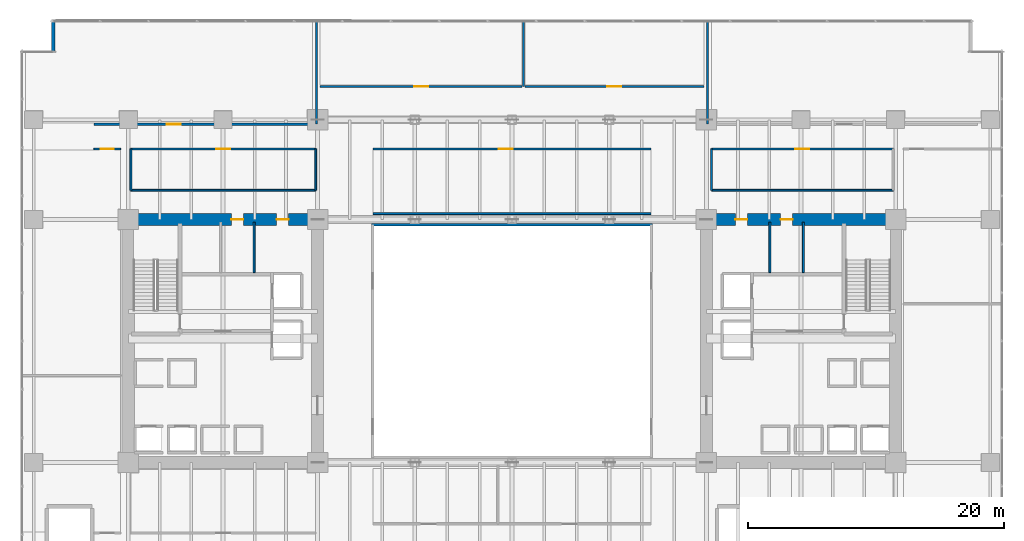
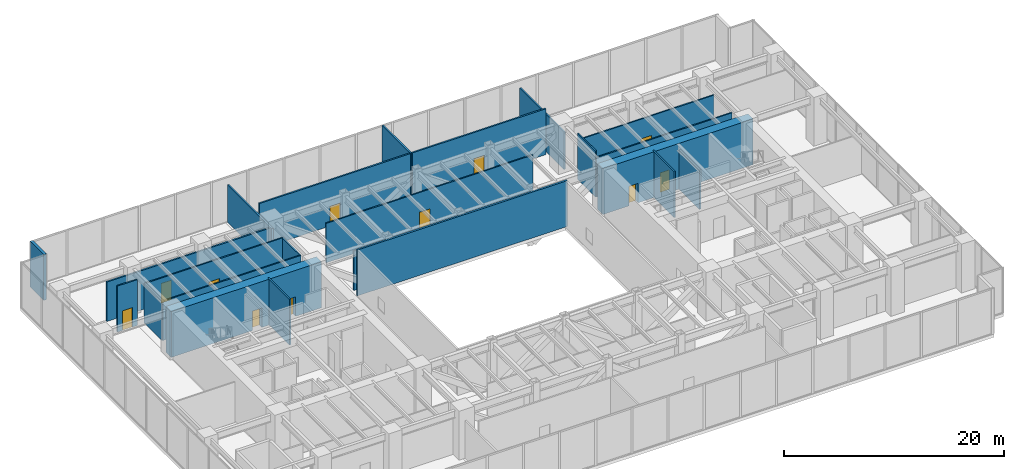
# One storey, part 30 of 35: 23 walls, 11 doors, 11 openings.
"""IFC4 building model written with IfcOpenShell, lengths in metres."""

from ifc_helpers import new_model, si_unit, direction, frame, frame_2d, origin, place, context, subcontext, project, spatial, rectangle, extrude, source, transform, mapped, material, layer, layer_set, type_object, type_shapes, element, fill, save


model = new_model("IFC4")

# Units and contexts
model_context = context("Model", 3, precision=1e-05, world=origin(), true_north=direction((0.0, 1.0)))
body_context = subcontext(model_context, "Body", "Model", "MODEL_VIEW")
ifc_project = project(units=[si_unit("LENGTHUNIT", "METRE"), si_unit("AREAUNIT", "SQUARE_METRE"), si_unit("VOLUMEUNIT", "CUBIC_METRE"), si_unit("PLANEANGLEUNIT", "RADIAN"), si_unit("MASSUNIT", "GRAM", prefix="KILO")], contexts=[model_context])

# Site, building, storey
site_placement = place(None, origin())
site = spatial("IfcSite", under=ifc_project, at=site_placement, CompositionType="ELEMENT")
building_placement = place(site_placement, origin())
building = spatial("IfcBuilding", under=site, at=building_placement, Name="Haelvirn Gate Laboratories", CompositionType="ELEMENT")
storey_placement = place(building_placement, frame((0.0, 0.0, 19.800048828125)))
storey = spatial("IfcBuildingStorey", under=building, at=storey_placement, Name="L05", CompositionType="ELEMENT", Elevation=19.800048828125)

# Walls
ifc_material_1 = material(Name="Thermally-broken bronze aluminium rainscreen & mineral wool", Category="aluminium")
ifc_layer_1 = layer(ifc_material_1, 0.280029296875, Name="EW-TERR-280")
ifc_layer_set_1 = layer_set([ifc_layer_1], Name="Thermally-broken bronze aluminium rainscreen & mineral wool")
wall_type_1 = type_object("IfcWallType", Name="EW-TERR-280", PredefinedType="STANDARD", material=ifc_layer_set_1)
wall_1_placement = place(storey_placement, frame((1.5400390625, 49.39990234375, 0.0), z_axis=(0.0, 0.0, 1.0), x_axis=(0.0, -1.0, 0.0)))
element("IfcWall", 1, at=wall_1_placement, inside=storey, type_object=wall_type_1, Name="L05 Atrium Recess Bronze Return Wall 07", PredefinedType="STANDARD", context=body_context, shape_type="SweptSolid", body=[
    extrude(rectangle(XDim=2.48779296875, YDim=0.280029296875, at=frame_2d((1.243896484375, 0.0))), origin(), (0.0, 0.0, 1.0), 5.079833984375),
])
ifc_material_2 = material(Name="Tempered fire-rated borosilicate glass & anodised aluminium", Category="aluminium")
ifc_layer_2 = layer(ifc_material_2, 0.195068359375, Name="IW-GLAZ-200")
ifc_layer_set_2 = layer_set([ifc_layer_2], Name="Tempered fire-rated borosilicate glass & anodised aluminium")
wall_type_2 = type_object("IfcWallType", Name="IW-GLAZ-200", PredefinedType="SOLIDWALL", material=ifc_layer_set_2)
wall_2_placement = place(storey_placement, frame((26.39990234375, 33.39990234375, 0.0), z_axis=(0.0, 0.0, 1.0), x_axis=(1.0, 0.0, 0.0)))
element("IfcWall", 2, at=wall_2_placement, inside=storey, type_object=wall_type_2, Name="L05 Interior Wall IW-L05-ATRIUM-N", PredefinedType="SOLIDWALL", context=body_context, shape_type="SweptSolid", body=[
    extrude(rectangle(XDim=22.0, YDim=0.195068359375, at=frame_2d((11.0, 0.0))), origin(), (0.0, 0.0, 1.0), 5.079833984375),
])

# Wall, opening, door
ifc_material_3 = material(Name="Acoustic mineral-wool gypsum board partition", Category="gypsum")
ifc_layer_3 = layer(ifc_material_3, 0.139892578125, Name="IW-PART-140")
ifc_layer_set_3 = layer_set([ifc_layer_3], Name="Acoustic mineral-wool gypsum board partition")
wall_type_3 = type_object("IfcWallType", Name="IW-PART-140", PredefinedType="PARTITIONING", material=ifc_layer_set_3)
wall_3_placement = place(storey_placement, frame((7.60009765625, 39.320068359375, 0.0), z_axis=(0.0, 0.0, 1.0), x_axis=(1.0, 0.0, 0.0)))
wall_3 = element("IfcWall", 3, at=wall_3_placement, inside=storey, type_object=wall_type_3, Name="L05 Interior Wall IW-L05-INC-NW-N", PredefinedType="PARTITIONING", context=body_context, shape_type="SweptSolid", body=[
    extrude(rectangle(XDim=14.449951171875, YDim=0.139892578125, at=frame_2d((7.22509765625, 0.0))), origin(), (0.0, 0.0, 1.0), 4.364990234375),
])
opening_1_placement = place(wall_3_placement, frame((6.675048828125, 0.0, 0.0)))
opening_1 = element("IfcOpeningElement", 4, at=opening_1_placement, cuts=wall_3, Name="Opening D1", PredefinedType="OPENING", context=body_context, shape_type="SweptSolid", body=[
    extrude(rectangle(XDim=1.10009765625, YDim=2.179931640625, at=frame_2d((0.550048828125, 1.08984375))), frame((0.0, 0.080078125, 0.0), z_axis=(0.0, -1.0, 0.0), x_axis=(1.0, 0.0, 0.0)), (0.0, 0.0, 1.0), 0.159912109375),
])
ifc_material_4 = material(Name="Vision-panel acoustic solid-core timber lab door", Category="wood")
door_type_1 = type_object("IfcDoorType", Name="DR-LAB-1100", OperationType="NOTDEFINED", PredefinedType="DOOR", material=ifc_material_4)
shared_shape_1 = source(origin(), body_context, "Body", "SweptSolid", [
    extrude(rectangle(XDim=1.10009765625, YDim=2.179931640625, at=frame_2d((0.550048828125, 1.08984375))), frame((0.0, 0.02490234375, 0.0), z_axis=(0.0, -1.0, 0.0), x_axis=(1.0, 0.0, 0.0)), (0.0, 0.0, 1.0), 0.050048828125),
])
type_shapes(door_type_1, [shared_shape_1])
door_1_placement = place(opening_1_placement, origin())
door_1 = element("IfcDoor", 5, at=door_1_placement, inside=storey, type_object=door_type_1, Name="L05 Genomic Sequencing Prep Suite Door", OperationType="SINGLE_SWING_RIGHT", OverallHeight=2.179931640625, OverallWidth=1.10009765625, PredefinedType="DOOR", context=body_context, shape_type="MappedRepresentation", body=[
    mapped(shared_shape_1, transform((0.0, 0.0, 0.0), scale=1.0)),
])
fill(opening_1, door_1)

# Walls
wall_4_placement = place(storey_placement, frame((7.60009765625, 36.080078125, 0.0), z_axis=(0.0, 0.0, 1.0), x_axis=(1.0, 0.0, 0.0)))
element("IfcWall", 6, at=wall_4_placement, inside=storey, type_object=wall_type_3, Name="L05 Interior Wall IW-L05-INC-NW-S", PredefinedType="PARTITIONING", context=body_context, shape_type="SweptSolid", body=[
    extrude(rectangle(XDim=14.449951171875, YDim=0.139892578125, at=frame_2d((7.22509765625, 0.0))), origin(), (0.0, 0.0, 1.0), 4.364990234375),
])
for number, where, z_axis, x_axis, name in (
    (7, (7.60009765625, 36.080078125, 0.0), (0.0, 0.0, 1.0), (0.0, 1.0, 0.0), "L05 Interior Wall IW-L05-INC-NW-W"),
    (8, (22.050048828125, 36.080078125, 0.0), (0.0, 0.0, 1.0), (0.0, 1.0, 0.0), "L05 Interior Wall IW-L05-INC-NW-E"),
):
    element("IfcWall", number, at=place(storey_placement, frame(where, z_axis=z_axis, x_axis=x_axis)), inside=storey, type_object=wall_type_3, Name=name, PredefinedType="PARTITIONING", context=body_context, shape_type="SweptSolid", body=[
        extrude(rectangle(XDim=3.239990234375, YDim=0.139892578125, at=frame_2d((1.6201171875, 0.0))), origin(), (0.0, 0.0, 1.0), 4.364990234375),
    ])

# Wall, opening, door
wall_5_placement = place(storey_placement, frame((53.0, 39.320068359375, 0.0), z_axis=(0.0, 0.0, 1.0), x_axis=(1.0, 0.0, 0.0)))
wall_5 = element("IfcWall", 9, at=wall_5_placement, inside=storey, type_object=wall_type_3, Name="L05 Interior Wall IW-L05-INC-NE-N", PredefinedType="PARTITIONING", context=body_context, shape_type="SweptSolid", body=[
    extrude(rectangle(XDim=14.199951171875, YDim=0.139892578125, at=frame_2d((7.10009765625, 0.0))), origin(), (0.0, 0.0, 1.0), 4.364990234375),
])
opening_2_placement = place(wall_5_placement, frame((6.550048828125, 0.0, 0.0)))
opening_2 = element("IfcOpeningElement", 10, at=opening_2_placement, cuts=wall_5, Name="Opening D1", PredefinedType="OPENING", context=body_context, shape_type="SweptSolid", body=[
    extrude(rectangle(XDim=1.10009765625, YDim=2.179931640625, at=frame_2d((0.550048828125, 1.08984375))), frame((0.0, 0.080078125, 0.0), z_axis=(0.0, -1.0, 0.0), x_axis=(1.0, 0.0, 0.0)), (0.0, 0.0, 1.0), 0.159912109375),
])
door_2_placement = place(opening_2_placement, origin())
door_2 = element("IfcDoor", 11, at=door_2_placement, inside=storey, type_object=door_type_1, Name="L05 Clinical Specimen Archive Laboratory Door", OperationType="SINGLE_SWING_RIGHT", OverallHeight=2.179931640625, OverallWidth=1.10009765625, PredefinedType="DOOR", context=body_context, shape_type="MappedRepresentation", body=[
    mapped(shared_shape_1, transform((0.0, 0.0, 0.0), scale=1.0)),
])
fill(opening_2, door_2)

# Walls
wall_6_placement = place(storey_placement, frame((53.0, 36.080078125, 0.0), z_axis=(0.0, 0.0, 1.0), x_axis=(1.0, 0.0, 0.0)))
element("IfcWall", 12, at=wall_6_placement, inside=storey, type_object=wall_type_3, Name="L05 Interior Wall IW-L05-INC-NE-S", PredefinedType="PARTITIONING", context=body_context, shape_type="SweptSolid", body=[
    extrude(rectangle(XDim=14.199951171875, YDim=0.139892578125, at=frame_2d((7.10009765625, 0.0))), origin(), (0.0, 0.0, 1.0), 4.364990234375),
])
wall_7_placement = place(storey_placement, frame((53.0, 36.080078125, 0.0), z_axis=(0.0, 0.0, 1.0), x_axis=(0.0, 1.0, 0.0)))
element("IfcWall", 13, at=wall_7_placement, inside=storey, type_object=wall_type_3, Name="L05 Interior Wall IW-L05-INC-NE-W", PredefinedType="PARTITIONING", context=body_context, shape_type="SweptSolid", body=[
    extrude(rectangle(XDim=3.239990234375, YDim=0.139892578125, at=frame_2d((1.6201171875, 0.0))), origin(), (0.0, 0.0, 1.0), 5.079833984375),
])

# Wall, opening, door
wall_8_placement = place(storey_placement, frame((26.550048828125, 39.320068359375, 0.0), z_axis=(0.0, 0.0, 1.0), x_axis=(1.0, 0.0, 0.0)))
wall_8 = element("IfcWall", 14, at=wall_8_placement, inside=storey, type_object=wall_type_3, Name="L05 Interior Wall IW-L05-IN1", PredefinedType="PARTITIONING", context=body_context, shape_type="SweptSolid", body=[
    extrude(rectangle(XDim=21.699951171875, YDim=0.139892578125, at=frame_2d((10.85009765625, 0.0))), origin(), (0.0, 0.0, 1.0), 4.364990234375),
])
opening_3_placement = place(wall_8_placement, frame((9.800048828125, 0.0, 0.0)))
opening_3 = element("IfcOpeningElement", 15, at=opening_3_placement, cuts=wall_8, Name="Opening D1", PredefinedType="OPENING", context=body_context, shape_type="SweptSolid", body=[
    extrude(rectangle(XDim=1.10009765625, YDim=2.179931640625, at=frame_2d((0.550048828125, 1.08984375))), frame((0.0, 0.080078125, 0.0), z_axis=(0.0, -1.0, 0.0), x_axis=(1.0, 0.0, 0.0)), (0.0, 0.0, 1.0), 0.159912109375),
])
door_3_placement = place(opening_3_placement, origin())
door_3 = element("IfcDoor", 16, at=door_3_placement, inside=storey, type_object=door_type_1, Name="L05 Microscopy Lab Door", OperationType="SINGLE_SWING_RIGHT", OverallHeight=2.179931640625, OverallWidth=1.10009765625, PredefinedType="DOOR", context=body_context, shape_type="MappedRepresentation", body=[
    mapped(shared_shape_1, transform((0.0, 0.0, 0.0), scale=1.0)),
])
fill(opening_3, door_3)

# Wall
wall_9_placement = place(storey_placement, frame((26.550048828125, 34.260009765625, 0.0), z_axis=(0.0, 0.0, 1.0), x_axis=(1.0, 0.0, 0.0)))
element("IfcWall", 17, at=wall_9_placement, inside=storey, type_object=wall_type_3, Name="L05 Interior Wall IW-L05-IN1-S", PredefinedType="PARTITIONING", context=body_context, shape_type="SweptSolid", body=[
    extrude(rectangle(XDim=21.699951171875, YDim=0.139892578125, at=frame_2d((10.85009765625, 0.0))), origin(), (0.0, 0.0, 1.0), 4.364990234375),
])

# Wall, opening, door
wall_10_placement = place(storey_placement, frame((4.699951171875, 39.320068359375, 0.0), z_axis=(0.0, 0.0, 1.0), x_axis=(1.0, 0.0, 0.0)))
wall_10 = element("IfcWall", 18, at=wall_10_placement, inside=storey, type_object=wall_type_3, Name="L05 Interior Wall IW-L05-WINGW-W-N", PredefinedType="PARTITIONING", context=body_context, shape_type="SweptSolid", body=[
    extrude(rectangle(XDim=2.10009765625, YDim=0.139892578125, at=frame_2d((1.050048828125, 0.0))), origin(), (0.0, 0.0, 1.0), 5.079833984375),
])
opening_4_placement = place(wall_10_placement, frame((0.550048828125, 0.0, 0.0)))
opening_4 = element("IfcOpeningElement", 19, at=opening_4_placement, cuts=wall_10, Name="Opening D2", PredefinedType="OPENING", context=body_context, shape_type="SweptSolid", body=[
    extrude(rectangle(XDim=1.0, YDim=2.14990234375, at=frame_2d((0.5, 1.074951171875))), frame((0.0, 0.080078125, 0.0), z_axis=(0.0, -1.0, 0.0), x_axis=(1.0, 0.0, 0.0)), (0.0, 0.0, 1.0), 0.159912109375),
])
ifc_material_5 = material(Name="Acoustic solid-core timber suite door", Category="wood")
door_type_2 = type_object("IfcDoorType", Name="DR-INT-1000", OperationType="NOTDEFINED", PredefinedType="DOOR", material=ifc_material_5)
shared_shape_2 = source(origin(), body_context, "Body", "SweptSolid", [
    extrude(rectangle(XDim=1.0, YDim=2.14990234375, at=frame_2d((0.5, 1.074951171875))), frame((0.0, 0.02490234375, 0.0), z_axis=(0.0, -1.0, 0.0), x_axis=(1.0, 0.0, 0.0)), (0.0, 0.0, 1.0), 0.050048828125),
])
type_shapes(door_type_2, [shared_shape_2])
door_4_placement = place(opening_4_placement, origin())
door_4 = element("IfcDoor", 20, at=door_4_placement, inside=storey, type_object=door_type_2, Name="L05 W Scientific Reference Library Door", OperationType="SINGLE_SWING_RIGHT", OverallHeight=2.14990234375, OverallWidth=1.0, PredefinedType="DOOR", context=body_context, shape_type="MappedRepresentation", body=[
    mapped(shared_shape_2, transform((0.0, 0.0, 0.0), scale=1.0)),
])
fill(opening_4, door_4)

ifc_material_6 = material(Name="Moisture-resistant gypsum laboratory partition", Category="gypsum")
ifc_layer_4 = layer(ifc_material_6, 0.1650390625, Name="IW-PART-160")
ifc_layer_set_4 = layer_set([ifc_layer_4], Name="Moisture-resistant gypsum laboratory partition")
wall_type_4 = type_object("IfcWallType", Name="IW-PART-160", PredefinedType="PARTITIONING", material=ifc_layer_set_4)
wall_11_placement = place(storey_placement, frame((4.699951171875, 41.25, 0.0), z_axis=(0.0, 0.0, 1.0), x_axis=(1.0, 0.0, 0.0)))
wall_11 = element("IfcWall", 21, at=wall_11_placement, inside=storey, type_object=wall_type_4, Name="L05 Interior Wall IW-L05-NOW-1", PredefinedType="PARTITIONING", context=body_context, shape_type="SweptSolid", body=[
    extrude(rectangle(XDim=17.10009765625, YDim=0.1650390625, at=frame_2d((8.550048828125, 0.0))), origin(), (0.0, 0.0, 1.0), 4.364990234375),
])
opening_5_placement = place(wall_11_placement, frame((5.705078125, 0.0, 0.0)))
opening_5 = element("IfcOpeningElement", 22, at=opening_5_placement, cuts=wall_11, Name="Opening D1", PredefinedType="OPENING", context=body_context, shape_type="SweptSolid", body=[
    extrude(rectangle(XDim=1.10009765625, YDim=2.179931640625, at=frame_2d((0.550048828125, 1.08984375))), frame((0.0, 0.092529296875, 0.0), z_axis=(0.0, -1.0, 0.0), x_axis=(1.0, 0.0, 0.0)), (0.0, 0.0, 1.0), 0.18505859375),
])
door_5_placement = place(opening_5_placement, origin())
door_5 = element("IfcDoor", 23, at=door_5_placement, inside=storey, type_object=door_type_1, Name="L05 Analytical Instrument Suite North Door", OperationType="SINGLE_SWING_RIGHT", OverallHeight=2.179931640625, OverallWidth=1.10009765625, PredefinedType="DOOR", context=body_context, shape_type="MappedRepresentation", body=[
    mapped(shared_shape_1, transform((0.0, 0.0, 0.0), scale=1.0)),
])
fill(opening_5, door_5)

wall_12_placement = place(storey_placement, frame((22.39990234375, 44.199951171875, 0.0), z_axis=(0.0, 0.0, 1.0), x_axis=(1.0, 0.0, 0.0)))
wall_12 = element("IfcWall", 24, at=wall_12_placement, inside=storey, type_object=wall_type_4, Name="L05 Interior Wall IW-L05-NOW-2", PredefinedType="PARTITIONING", context=body_context, shape_type="SweptSolid", body=[
    extrude(rectangle(XDim=15.800048828125, YDim=0.1650390625, at=frame_2d((7.89990234375, 0.0))), origin(), (0.0, 0.0, 1.0), 5.079833984375),
])
opening_6_placement = place(wall_12_placement, frame((7.35009765625, 0.0, 0.0)))
opening_6 = element("IfcOpeningElement", 25, at=opening_6_placement, cuts=wall_12, Name="Opening D1", PredefinedType="OPENING", context=body_context, shape_type="SweptSolid", body=[
    extrude(rectangle(XDim=1.10009765625, YDim=2.179931640625, at=frame_2d((0.550048828125, 1.08984375))), frame((0.0, 0.092529296875, 0.0), z_axis=(0.0, -1.0, 0.0), x_axis=(1.0, 0.0, 0.0)), (0.0, 0.0, 1.0), 0.18505859375),
])
door_6_placement = place(opening_6_placement, origin())
door_6 = element("IfcDoor", 26, at=door_6_placement, inside=storey, type_object=door_type_1, Name="L05 Computational Write-Up Office North Door", OperationType="SINGLE_SWING_RIGHT", OverallHeight=2.179931640625, OverallWidth=1.10009765625, PredefinedType="DOOR", context=body_context, shape_type="MappedRepresentation", body=[
    mapped(shared_shape_1, transform((0.0, 0.0, 0.0), scale=1.0)),
])
fill(opening_6, door_6)

wall_13_placement = place(storey_placement, frame((38.39990234375, 44.199951171875, 0.0), z_axis=(0.0, 0.0, 1.0), x_axis=(1.0, 0.0, 0.0)))
wall_13 = element("IfcWall", 27, at=wall_13_placement, inside=storey, type_object=wall_type_4, Name="L05 Interior Wall IW-L05-NOW-3", PredefinedType="PARTITIONING", context=body_context, shape_type="SweptSolid", body=[
    extrude(rectangle(XDim=14.0, YDim=0.1650390625, at=frame_2d((7.0, 0.0))), origin(), (0.0, 0.0, 1.0), 5.079833984375),
])
opening_7_placement = place(wall_13_placement, frame((6.449951171875, 0.0, 0.0)))
opening_7 = element("IfcOpeningElement", 28, at=opening_7_placement, cuts=wall_13, Name="Opening D1", PredefinedType="OPENING", context=body_context, shape_type="SweptSolid", body=[
    extrude(rectangle(XDim=1.10009765625, YDim=2.179931640625, at=frame_2d((0.550048828125, 1.08984375))), frame((0.0, 0.092529296875, 0.0), z_axis=(0.0, -1.0, 0.0), x_axis=(1.0, 0.0, 0.0)), (0.0, 0.0, 1.0), 0.18505859375),
])
door_7_placement = place(opening_7_placement, origin())
door_7 = element("IfcDoor", 29, at=door_7_placement, inside=storey, type_object=door_type_1, Name="L05 Research Seminar & Review Room North Door", OperationType="SINGLE_SWING_RIGHT", OverallHeight=2.179931640625, OverallWidth=1.10009765625, PredefinedType="DOOR", context=body_context, shape_type="MappedRepresentation", body=[
    mapped(shared_shape_1, transform((0.0, 0.0, 0.0), scale=1.0)),
])
fill(opening_7, door_7)

# Walls
wall_14_placement = place(storey_placement, frame((22.10009765625, 41.25, 0.0), z_axis=(0.0, 0.0, 1.0), x_axis=(0.0, 1.0, 0.0)))
element("IfcWall", 30, at=wall_14_placement, inside=storey, type_object=wall_type_4, Name="L05 Interior Wall IW-L05-NODIV-W", PredefinedType="PARTITIONING", context=body_context, shape_type="SweptSolid", body=[
    extrude(rectangle(XDim=8.030029296875, YDim=0.1650390625, at=frame_2d((4.01513671875, 0.0))), origin(), (0.0, 0.0, 1.0), 4.1650390625),
])
wall_15_placement = place(storey_placement, frame((38.300048828125, 44.199951171875, 0.0), z_axis=(0.0, 0.0, 1.0), x_axis=(0.0, 1.0, 0.0)))
element("IfcWall", 31, at=wall_15_placement, inside=storey, type_object=wall_type_4, Name="L05 Interior Wall IW-L05-NODIV-M", PredefinedType="PARTITIONING", context=body_context, shape_type="SweptSolid", body=[
    extrude(rectangle(XDim=5.080078125, YDim=0.1650390625, at=frame_2d((2.5400390625, 0.0))), origin(), (0.0, 0.0, 1.0), 5.079833984375),
])
wall_16_placement = place(storey_placement, frame((52.699951171875, 41.25, 0.0), z_axis=(0.0, 0.0, 1.0), x_axis=(0.0, 1.0, 0.0)))
element("IfcWall", 32, at=wall_16_placement, inside=storey, type_object=wall_type_4, Name="L05 Interior Wall IW-L05-NODIV-E", PredefinedType="PARTITIONING", context=body_context, shape_type="SweptSolid", body=[
    extrude(rectangle(XDim=8.030029296875, YDim=0.1650390625, at=frame_2d((4.01513671875, 0.0))), origin(), (0.0, 0.0, 1.0), 4.1650390625),
])
ifc_material_7 = material(Name="Cement-board restroom plumbing chase wall", Category="gypsum")
ifc_layer_5 = layer(ifc_material_7, 0.155029296875, Name="IW-PLUMB-160")
ifc_layer_set_5 = layer_set([ifc_layer_5], Name="Cement-board restroom plumbing chase wall")
wall_type_5 = type_object("IfcWallType", Name="IW-PLUMB-160", PredefinedType="PLUMBINGWALL", material=ifc_layer_set_5)
wall_17_placement = place(storey_placement, frame((17.239990234375, 29.64990234375, 0.0), z_axis=(0.0, 0.0, 1.0), x_axis=(0.0, 1.0, 0.0)))
element("IfcWall", 33, at=wall_17_placement, inside=storey, type_object=wall_type_5, Name="L05 Interior Wall IW-L05-W-CDIV-1", PredefinedType="PLUMBINGWALL", context=body_context, shape_type="SweptSolid", body=[
    extrude(rectangle(XDim=3.93017578125, YDim=0.155029296875, at=frame_2d((1.965087890625, 0.0))), origin(), (0.0, 0.0, 1.0), 5.079833984375),
])
wall_18_placement = place(storey_placement, frame((60.18994140625, 29.64990234375, 0.0), z_axis=(0.0, 0.0, 1.0), x_axis=(0.0, 1.0, 0.0)))
element("IfcWall", 34, at=wall_18_placement, inside=storey, type_object=wall_type_5, Name="L05 Interior Wall IW-L05-E-CDIV-0", PredefinedType="PLUMBINGWALL", context=body_context, shape_type="SweptSolid", body=[
    extrude(rectangle(XDim=3.93017578125, YDim=0.155029296875, at=frame_2d((1.965087890625, 0.0))), origin(), (0.0, 0.0, 1.0), 4.364990234375),
])
wall_19_placement = place(storey_placement, frame((57.56005859375, 29.64990234375, 0.0), z_axis=(0.0, 0.0, 1.0), x_axis=(0.0, 1.0, 0.0)))
element("IfcWall", 35, at=wall_19_placement, inside=storey, type_object=wall_type_5, Name="L05 Interior Wall IW-L05-E-CDIV-1", PredefinedType="PLUMBINGWALL", context=body_context, shape_type="SweptSolid", body=[
    extrude(rectangle(XDim=3.93017578125, YDim=0.155029296875, at=frame_2d((1.965087890625, 0.0))), origin(), (0.0, 0.0, 1.0), 5.079833984375),
])

# Wall, openings, doors
ifc_material_8 = material(Name="Concrete C70/85", Category="concrete")
ifc_layer_6 = layer(ifc_material_8, 0.949951171875, Name="SW-CORE-950")
ifc_layer_set_6 = layer_set([ifc_layer_6], Name="Concrete C70/85")
wall_type_6 = type_object("IfcWallType", Name="SW-CORE-950", PredefinedType="SHEAR", material=ifc_layer_set_6)
wall_20_placement = place(storey_placement, frame((6.925048828125, 33.800048828125, 0.0), z_axis=(0.0, 0.0, 1.0), x_axis=(1.0, 0.0, 0.0)))
wall_20 = element("IfcWall", 36, at=wall_20_placement, inside=storey, type_object=wall_type_6, Name="L05 W Core Shear Wall N", PredefinedType="SHEAR", context=body_context, shape_type="SweptSolid", body=[
    extrude(rectangle(XDim=15.75, YDim=0.949951171875, at=frame_2d((7.875, 0.0))), origin(), (0.0, 0.0, 1.0), 5.079833984375),
])
opening_8_placement = place(wall_20_placement, frame((8.52490234375, 0.0, 0.0)))
opening_8 = element("IfcOpeningElement", 37, at=opening_8_placement, cuts=wall_20, Name="Opening FD4", PredefinedType="OPENING", context=body_context, shape_type="SweptSolid", body=[
    extrude(rectangle(XDim=0.949951171875, YDim=2.14990234375, at=frame_2d((0.47509765625, 1.074951171875))), frame((0.0, 0.48486328125, 0.0), z_axis=(0.0, -1.0, 0.0), x_axis=(1.0, 0.0, 0.0)), (0.0, 0.0, 1.0), 0.969970703125),
])
opening_9_placement = place(wall_20_placement, frame((12.06494140625, 0.0, 0.0)))
opening_9 = element("IfcOpeningElement", 38, at=opening_9_placement, cuts=wall_20, Name="Opening FD4", PredefinedType="OPENING", context=body_context, shape_type="SweptSolid", body=[
    extrude(rectangle(XDim=0.949951171875, YDim=2.14990234375, at=frame_2d((0.47509765625, 1.074951171875))), frame((0.0, 0.48486328125, 0.0), z_axis=(0.0, -1.0, 0.0), x_axis=(1.0, 0.0, 0.0)), (0.0, 0.0, 1.0), 0.969970703125),
])
ifc_material_9 = material(Name="Fire-rated steel SM355 core service door", Category="steel")
door_type_3 = type_object("IfcDoorType", Name="DR-FD-950", OperationType="NOTDEFINED", PredefinedType="DOOR", material=ifc_material_9)
shared_shape_3 = source(origin(), body_context, "Body", "SweptSolid", [
    extrude(rectangle(XDim=0.949951171875, YDim=2.14990234375, at=frame_2d((0.47509765625, 1.074951171875))), frame((0.0, 0.02490234375, 0.0), z_axis=(0.0, -1.0, 0.0), x_axis=(1.0, 0.0, 0.0)), (0.0, 0.0, 1.0), 0.050048828125),
])
type_shapes(door_type_3, [shared_shape_3])
door_8_placement = place(opening_8_placement, origin())
door_8 = element("IfcDoor", 39, at=door_8_placement, inside=storey, type_object=door_type_3, Name="L05 Accessible Restroom Fire Door", OperationType="SINGLE_SWING_RIGHT", OverallHeight=2.14990234375, OverallWidth=0.949951171875, PredefinedType="DOOR", context=body_context, shape_type="MappedRepresentation", body=[
    mapped(shared_shape_3, transform((0.0, 0.0, 0.0), scale=1.0)),
])
fill(opening_8, door_8)
door_9_placement = place(opening_9_placement, origin())
door_9 = element("IfcDoor", 40, at=door_9_placement, inside=storey, type_object=door_type_3, Name="L05 Staff Restroom Fire Door", OperationType="SINGLE_SWING_LEFT", OverallHeight=2.14990234375, OverallWidth=0.949951171875, PredefinedType="DOOR", context=body_context, shape_type="MappedRepresentation", body=[
    mapped(shared_shape_3, transform((0.0, 0.0, 0.0), scale=1.0)),
])
fill(opening_9, door_9)

wall_21_placement = place(storey_placement, frame((52.125, 33.800048828125, 0.0), z_axis=(0.0, 0.0, 1.0), x_axis=(1.0, 0.0, 0.0)))
wall_21 = element("IfcWall", 41, at=wall_21_placement, inside=storey, type_object=wall_type_6, Name="L05 E Core Shear Wall N", PredefinedType="SHEAR", context=body_context, shape_type="SweptSolid", body=[
    extrude(rectangle(XDim=15.75, YDim=0.949951171875, at=frame_2d((7.875, 0.0))), origin(), (0.0, 0.0, 1.0), 5.079833984375),
])
opening_10_placement = place(wall_21_placement, frame((6.27490234375, 0.0, 0.0)))
opening_10 = element("IfcOpeningElement", 42, at=opening_10_placement, cuts=wall_21, Name="Opening FD4", PredefinedType="OPENING", context=body_context, shape_type="SweptSolid", body=[
    extrude(rectangle(XDim=0.949951171875, YDim=2.14990234375, at=frame_2d((0.47509765625, 1.074951171875))), frame((0.0, 0.48486328125, 0.0), z_axis=(0.0, -1.0, 0.0), x_axis=(1.0, 0.0, 0.0)), (0.0, 0.0, 1.0), 0.969970703125),
])
opening_11_placement = place(wall_21_placement, frame((2.735107421875, 0.0, 0.0)))
opening_11 = element("IfcOpeningElement", 43, at=opening_11_placement, cuts=wall_21, Name="Opening FD4", PredefinedType="OPENING", context=body_context, shape_type="SweptSolid", body=[
    extrude(rectangle(XDim=0.949951171875, YDim=2.14990234375, at=frame_2d((0.47509765625, 1.074951171875))), frame((0.0, 0.48486328125, 0.0), z_axis=(0.0, -1.0, 0.0), x_axis=(1.0, 0.0, 0.0)), (0.0, 0.0, 1.0), 0.969970703125),
])
door_10_placement = place(opening_10_placement, origin())
door_10 = element("IfcDoor", 44, at=door_10_placement, inside=storey, type_object=door_type_3, Name="L05 Accessible Restroom Fire Door", OperationType="SINGLE_SWING_RIGHT", OverallHeight=2.14990234375, OverallWidth=0.949951171875, PredefinedType="DOOR", context=body_context, shape_type="MappedRepresentation", body=[
    mapped(shared_shape_3, transform((0.0, 0.0, 0.0), scale=1.0)),
])
fill(opening_10, door_10)
door_11_placement = place(opening_11_placement, origin())
door_11 = element("IfcDoor", 45, at=door_11_placement, inside=storey, type_object=door_type_3, Name="L05 Staff Restroom Fire Door", OperationType="SINGLE_SWING_LEFT", OverallHeight=2.14990234375, OverallWidth=0.949951171875, PredefinedType="DOOR", context=body_context, shape_type="MappedRepresentation", body=[
    mapped(shared_shape_3, transform((0.0, 0.0, 0.0), scale=1.0)),
])
fill(opening_11, door_11)

save(model, "model.ifc")
